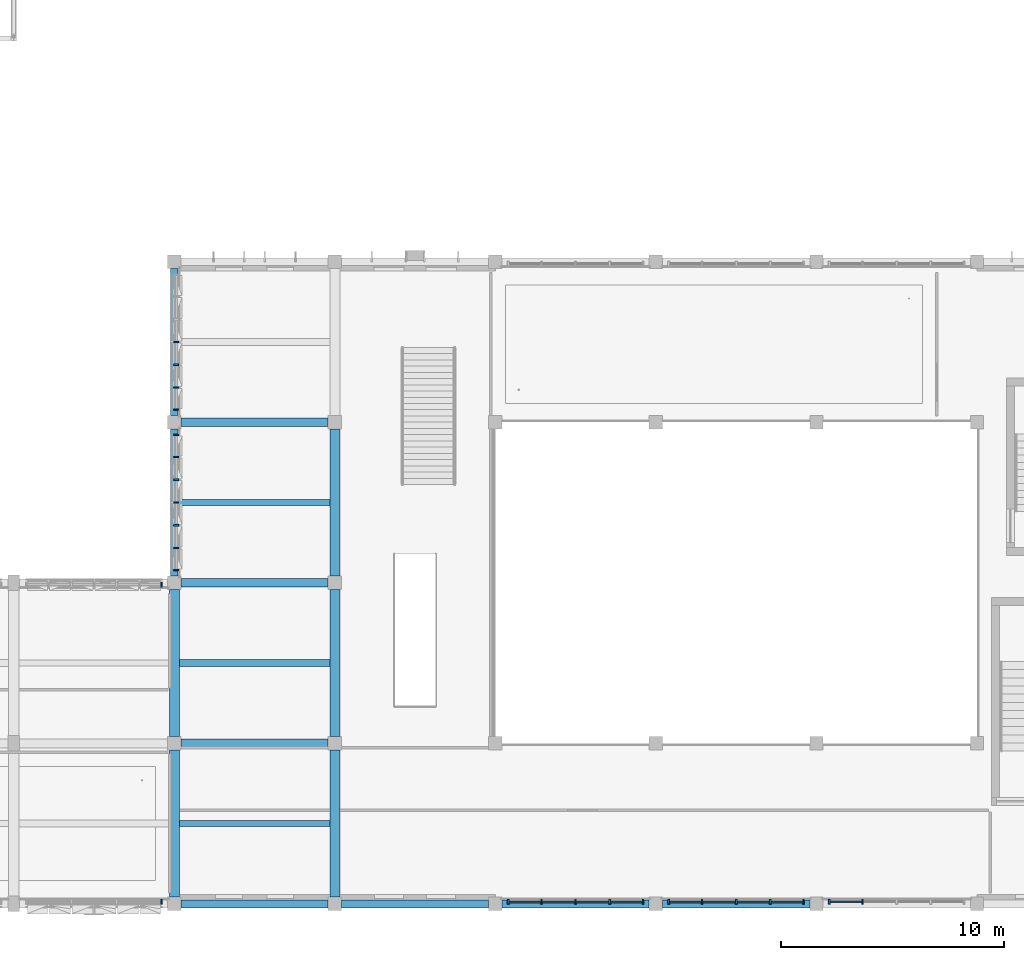
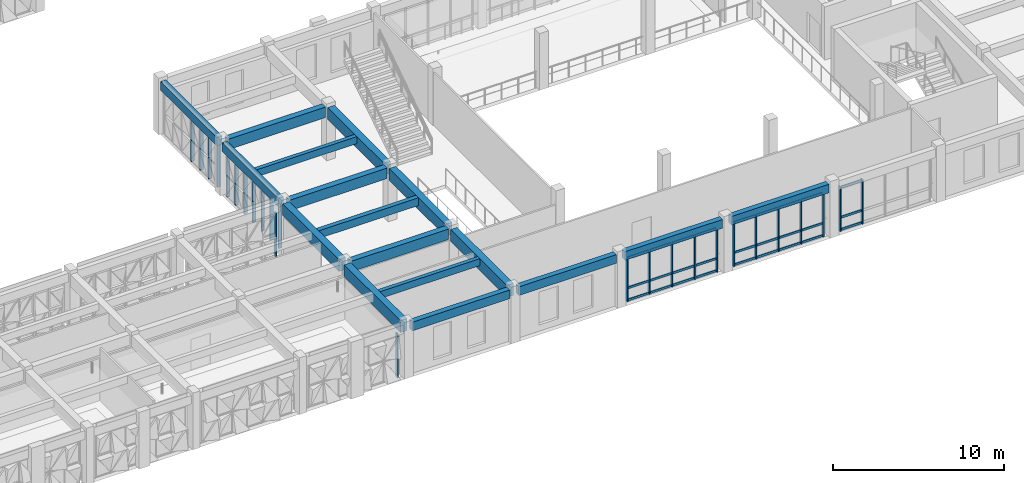
# One storey, part 11 of 88: 52 members, 17 beams, 7 elements without a shape of their own.
"""IFC4 building model written with IfcOpenShell, lengths in metres."""

from ifc_helpers import new_model, si_unit, direction, frame, origin, origin_2d, place, context, subcontext, project, spatial, rectangle, extrude, material, material_profile, profile_set, type_object, element, aggregate, save


model = new_model("IFC4")

# Units and contexts
model_context = context("Model", 3, precision=1e-05, world=origin(), true_north=direction((0.0, 1.0)))
body_context = subcontext(model_context, "Body", "Model", "MODEL_VIEW")
ifc_project = project(units=[si_unit("LENGTHUNIT", "METRE"), si_unit("AREAUNIT", "SQUARE_METRE"), si_unit("VOLUMEUNIT", "CUBIC_METRE"), si_unit("PLANEANGLEUNIT", "RADIAN"), si_unit("MASSUNIT", "GRAM", prefix="KILO")], contexts=[model_context])

# Site, building, storey
site_placement = place(None, origin())
site = spatial("IfcSite", under=ifc_project, at=site_placement, CompositionType="ELEMENT")
building_placement = place(site_placement, origin())
building = spatial("IfcBuilding", under=site, at=building_placement, Name="Alvorim Cloister Faculty of Sciences", CompositionType="ELEMENT")
storey_placement = place(building_placement, frame((0.0, 0.0, 4.5)))
storey = spatial("IfcBuildingStorey", under=building, at=storey_placement, Name="L01", CompositionType="ELEMENT", Elevation=4.5)

# Beams
ifc_material_1 = material(Name="Concrete C40", Category="concrete")
ifc_material_profile_1 = material_profile(ifc_material_1, rectangle(XDim=0.260009765625, YDim=0.5, at=origin_2d()), Name="RC40-JST-260x500")
ifc_profile_set_1 = profile_set([ifc_material_profile_1], Name="Concrete C40")
beam_type_1 = type_object("IfcBeamType", Name="BM-JST-RC-260x500", PredefinedType="JOIST", material=ifc_profile_set_1)
beam_1_placement = place(storey_placement, frame((65.02490234375, 3.60009765625, 3.5400390625), z_axis=(1.0, 0.0, 0.0), x_axis=(0.0, 1.0, 0.0)))
element("IfcBeam", 1, at=beam_1_placement, inside=storey, type_object=beam_type_1, Name="L01 Secondary Floor Joist BM-1206", PredefinedType="JOIST", context=body_context, shape_type="SweptSolid", body=[
    extrude(rectangle(XDim=0.260009765625, YDim=0.5, at=origin_2d()), origin(), (0.0, 0.0, 1.0), 6.75),
])
beam_2_placement = place(storey_placement, frame((64.97509765625, 18.0, 3.5400390625), z_axis=(1.0, 0.0, 0.0), x_axis=(0.0, 1.0, 0.0)))
element("IfcBeam", 2, at=beam_2_placement, inside=storey, type_object=beam_type_1, Name="L01 Secondary Floor Joist BM-1208", PredefinedType="JOIST", context=body_context, shape_type="SweptSolid", body=[
    extrude(rectangle(XDim=0.260009765625, YDim=0.5, at=origin_2d()), origin(), (0.0, 0.0, 1.0), 6.7998046875),
])
ifc_material_profile_2 = material_profile(ifc_material_1, rectangle(XDim=0.300048828125, YDim=0.550048828125, at=origin_2d()), Name="RC40-JST-300x550")
ifc_profile_set_2 = profile_set([ifc_material_profile_2], Name="Concrete C40")
beam_type_2 = type_object("IfcBeamType", Name="BM-JST-RC-300x550", PredefinedType="JOIST", material=ifc_profile_set_2)
beam_3_placement = place(storey_placement, frame((65.02490234375, 10.800048828125, 3.514892578125), z_axis=(1.0, 0.0, 0.0), x_axis=(0.0, 1.0, 0.0)))
element("IfcBeam", 3, at=beam_3_placement, inside=storey, type_object=beam_type_2, Name="L01 Secondary Floor Joist BM-1207", PredefinedType="JOIST", context=body_context, shape_type="SweptSolid", body=[
    extrude(rectangle(XDim=0.300048828125, YDim=0.550048828125, at=origin_2d()), origin(), (0.0, 0.0, 1.0), 6.75),
])
ifc_material_profile_3 = material_profile(ifc_material_1, rectangle(XDim=0.39990234375, YDim=0.75, at=origin_2d()), Name="RC40-BM-400x750")
ifc_profile_set_3 = profile_set([ifc_material_profile_3], Name="Concrete C40")
beam_type_3 = type_object("IfcBeamType", Name="BM-RC-400x750", PredefinedType="BEAM", material=ifc_profile_set_3)
for number, where, z_axis, x_axis, name in (
    (4, (65.10009765625, 7.199951171875, 3.4150390625), (1.0, 0.0, 0.0), (0.0, 1.0, 0.0), "L01 Primary Beam BM-0915"),
    (5, (65.10009765625, 14.39990234375, 3.4150390625), (1.0, 0.0, 0.0), (0.0, 1.0, 0.0), "L01 Primary Beam BM-0933"),
    (6, (65.10009765625, 21.60009765625, 3.4150390625), (1.0, 0.0, 0.0), (0.0, 1.0, 0.0), "L01 Primary Beam BM-0937"),
):
    element("IfcBeam", number, at=place(storey_placement, frame(where, z_axis=z_axis, x_axis=x_axis)), inside=storey, type_object=beam_type_3, Name=name, PredefinedType="BEAM", context=body_context, shape_type="SweptSolid", body=[
        extrude(rectangle(XDim=0.39990234375, YDim=0.75, at=origin_2d()), origin(), (0.0, 0.0, 1.0), 6.599853515625),
    ])
ifc_material_profile_4 = material_profile(ifc_material_1, rectangle(XDim=0.449951171875, YDim=0.85009765625, at=origin_2d()), Name="RC40-BM-450x850")
ifc_profile_set_4 = profile_set([ifc_material_profile_4], Name="Concrete C40")
beam_type_4 = type_object("IfcBeamType", Name="BM-RC-450x850", PredefinedType="BEAM", material=ifc_profile_set_4)
beam_4_placement = place(storey_placement, frame((64.800048828125, 0.300048828125, 3.364990234375), z_axis=(0.0, 1.0, 0.0), x_axis=(-1.0, 0.0, 0.0)))
element("IfcBeam", 7, at=beam_4_placement, inside=storey, type_object=beam_type_4, Name="L01 Primary Girder BM-1102", PredefinedType="BEAM", context=body_context, shape_type="SweptSolid", body=[
    extrude(rectangle(XDim=0.449951171875, YDim=0.85009765625, at=origin_2d()), origin(), (0.0, 0.0, 1.0), 6.599853515625),
])
beam_5_placement = place(storey_placement, frame((64.800048828125, 7.5, 3.364990234375), z_axis=(0.0, 1.0, 0.0), x_axis=(-1.0, 0.0, 0.0)))
element("IfcBeam", 8, at=beam_5_placement, inside=storey, type_object=beam_type_4, Name="L01 Primary Girder BM-1103", PredefinedType="BEAM", context=body_context, shape_type="SweptSolid", body=[
    extrude(rectangle(XDim=0.449951171875, YDim=0.85009765625, at=origin_2d()), origin(), (0.0, 0.0, 1.0), 6.60009765625),
])
beam_6_placement = place(storey_placement, frame((72.0, 0.300048828125, 3.364990234375), z_axis=(0.0, 1.0, 0.0), x_axis=(-1.0, 0.0, 0.0)))
element("IfcBeam", 9, at=beam_6_placement, inside=storey, type_object=beam_type_4, Name="L01 Primary Girder BM-1108", PredefinedType="BEAM", context=body_context, shape_type="SweptSolid", body=[
    extrude(rectangle(XDim=0.449951171875, YDim=0.85009765625, at=origin_2d()), origin(), (0.0, 0.0, 1.0), 6.599853515625),
])
for number, where, z_axis, x_axis, name in (
    (10, (72.0, 7.5, 3.364990234375), (0.0, 1.0, 0.0), (-1.0, 0.0, 0.0), "L01 Primary Girder BM-1109"),
    (11, (72.0, 14.699951171875, 3.364990234375), (0.0, 1.0, 0.0), (-1.0, 0.0, 0.0), "L01 Primary Girder BM-1110"),
):
    element("IfcBeam", number, at=place(storey_placement, frame(where, z_axis=z_axis, x_axis=x_axis)), inside=storey, type_object=beam_type_4, Name=name, PredefinedType="BEAM", context=body_context, shape_type="SweptSolid", body=[
        extrude(rectangle(XDim=0.449951171875, YDim=0.85009765625, at=origin_2d()), origin(), (0.0, 0.0, 1.0), 6.60009765625),
    ])
ifc_material_profile_5 = material_profile(ifc_material_1, rectangle(XDim=0.35009765625, YDim=0.6201171875, at=origin_2d()), Name="RC40-SPD-350x620")
ifc_profile_set_5 = profile_set([ifc_material_profile_5], Name="Concrete C40")
beam_type_5 = type_object("IfcBeamType", Name="BM-SPD-RC-350x620", PredefinedType="SPANDREL", material=ifc_profile_set_5)
for number, where, z_axis, x_axis, name in (
    (12, (65.10009765625, 0.0, 3.47998046875), (1.0, 0.0, 0.0), (0.0, 1.0, 0.0), "L01 Primary Beam BM-0892"),
    (13, (72.300048828125, 0.0, 3.47998046875), (1.0, 0.0, 0.0), (0.0, 1.0, 0.0), "L01 Primary Beam BM-0893"),
):
    element("IfcBeam", number, at=place(storey_placement, frame(where, z_axis=z_axis, x_axis=x_axis)), inside=storey, type_object=beam_type_5, Name=name, PredefinedType="SPANDREL", context=body_context, shape_type="SweptSolid", body=[
        extrude(rectangle(XDim=0.35009765625, YDim=0.6201171875, at=origin_2d()), origin(), (0.0, 0.0, 1.0), 6.599853515625),
    ])
for number, where, z_axis, x_axis, name in (
    (14, (79.5, 0.0, 3.47998046875), (1.0, 0.0, 0.0), (0.0, 1.0, 0.0), "L01 Primary Beam BM-0894"),
    (15, (86.699951171875, 0.0, 3.47998046875), (1.0, 0.0, 0.0), (0.0, 1.0, 0.0), "L01 Primary Beam BM-0895"),
    (16, (64.800048828125, 14.699951171875, 3.47998046875), (0.0, 1.0, 0.0), (-1.0, 0.0, 0.0), "L01 Primary Girder BM-1104"),
    (17, (64.800048828125, 21.89990234375, 3.47998046875), (0.0, 1.0, 0.0), (-1.0, 0.0, 0.0), "L01 Primary Girder BM-1105"),
):
    element("IfcBeam", number, at=place(storey_placement, frame(where, z_axis=z_axis, x_axis=x_axis)), inside=storey, type_object=beam_type_5, Name=name, PredefinedType="SPANDREL", context=body_context, shape_type="SweptSolid", body=[
        extrude(rectangle(XDim=0.35009765625, YDim=0.6201171875, at=origin_2d()), origin(), (0.0, 0.0, 1.0), 6.60009765625),
    ])

# Curtain wall, member
ifc_material_2 = material(Name="Aluminium and Low-E Glass Curtain Wall", Category="aluminium")
curtain_wall_type_1 = type_object("IfcCurtainWallType", Name="CW-TRI-6120x3170", PredefinedType="USERDEFINED", material=ifc_material_2)
curtain_wall_1_placement = place(storey_placement, origin())
curtain_wall_1 = element("IfcCurtainWall", 18, at=curtain_wall_1_placement, inside=storey, type_object=curtain_wall_type_1, Name="L01 Diagonal Cassette Curtain Wall CW-0031", ObjectType="UNITISED CURTAIN WALL", PredefinedType="USERDEFINED")
ifc_material_3 = material(Name="Aluminium Alloy 6063-T6", Category="aluminium")
ifc_material_profile_6 = material_profile(ifc_material_3, rectangle(XDim=0.074951171875, YDim=0.219970703125, at=origin_2d()), Name="ALU-MUL-75x220")
ifc_profile_set_6 = profile_set([ifc_material_profile_6], Name="Aluminium Alloy 6063-T6")
member_type_1 = type_object("IfcMemberType", Name="CW-MUL-75x220", PredefinedType="MULLION", material=ifc_profile_set_6)
member_1_placement = place(storey_placement, frame((64.222412109375, 14.31005859375, 0.0), z_axis=(0.0, 0.0, 1.0), x_axis=(1.0, 0.0, 0.0)))
member_1 = element("IfcMember", 19, at=member_1_placement, type_object=member_type_1, Name="CW-0031 Mullion 7", PredefinedType="MULLION", context=body_context, shape_type="SweptSolid", body=[
    extrude(rectangle(XDim=0.074951171875, YDim=0.219970703125, at=origin_2d()), origin(), (0.0, 0.0, 1.0), 3.169921875),
])
aggregate(curtain_wall_1, [member_1])

# Curtain wall, members
curtain_wall_2_placement = place(storey_placement, origin())
curtain_wall_2 = element("IfcCurtainWall", 20, at=curtain_wall_2_placement, inside=storey, type_object=curtain_wall_type_1, Name="L01 Diagonal Cassette Curtain Wall CW-0032", ObjectType="UNITISED CURTAIN WALL", PredefinedType="USERDEFINED")
member_2_placement = place(storey_placement, frame((64.889892578125, 14.9775390625, 0.0), z_axis=(0.0, 0.0, 1.0), x_axis=(0.0, 1.0, 0.0)))
member_2 = element("IfcMember", 21, at=member_2_placement, type_object=member_type_1, Name="CW-0032 Mullion 1", PredefinedType="MULLION", context=body_context, shape_type="SweptSolid", body=[
    extrude(rectangle(XDim=0.074951171875, YDim=0.219970703125, at=origin_2d()), origin(), (0.0, 0.0, 1.0), 3.169921875),
])
member_3_placement = place(storey_placement, frame((64.889892578125, 15.9599609375, 0.0), z_axis=(0.0, 0.0, 1.0), x_axis=(0.0, 1.0, 0.0)))
member_3 = element("IfcMember", 22, at=member_3_placement, type_object=member_type_1, Name="CW-0032 Mullion 2", PredefinedType="MULLION", context=body_context, shape_type="SweptSolid", body=[
    extrude(rectangle(XDim=0.074951171875, YDim=0.219970703125, at=origin_2d()), origin(), (0.0, 0.0, 1.0), 3.169921875),
])
member_4_placement = place(storey_placement, frame((64.889892578125, 16.97998046875, 0.0), z_axis=(0.0, 0.0, 1.0), x_axis=(0.0, 1.0, 0.0)))
member_4 = element("IfcMember", 23, at=member_4_placement, type_object=member_type_1, Name="CW-0032 Mullion 3", PredefinedType="MULLION", context=body_context, shape_type="SweptSolid", body=[
    extrude(rectangle(XDim=0.074951171875, YDim=0.219970703125, at=origin_2d()), origin(), (0.0, 0.0, 1.0), 3.169921875),
])
member_5_placement = place(storey_placement, frame((64.889892578125, 18.0, 0.0), z_axis=(0.0, 0.0, 1.0), x_axis=(0.0, 1.0, 0.0)))
member_5 = element("IfcMember", 24, at=member_5_placement, type_object=member_type_1, Name="CW-0032 Mullion 4", PredefinedType="MULLION", context=body_context, shape_type="SweptSolid", body=[
    extrude(rectangle(XDim=0.074951171875, YDim=0.219970703125, at=origin_2d()), origin(), (0.0, 0.0, 1.0), 3.169921875),
])
member_6_placement = place(storey_placement, frame((64.889892578125, 19.02001953125, 0.0), z_axis=(0.0, 0.0, 1.0), x_axis=(0.0, 1.0, 0.0)))
member_6 = element("IfcMember", 25, at=member_6_placement, type_object=member_type_1, Name="CW-0032 Mullion 5", PredefinedType="MULLION", context=body_context, shape_type="SweptSolid", body=[
    extrude(rectangle(XDim=0.074951171875, YDim=0.219970703125, at=origin_2d()), origin(), (0.0, 0.0, 1.0), 3.169921875),
])
member_7_placement = place(storey_placement, frame((64.889892578125, 20.0400390625, 0.0), z_axis=(0.0, 0.0, 1.0), x_axis=(0.0, 1.0, 0.0)))
member_7 = element("IfcMember", 26, at=member_7_placement, type_object=member_type_1, Name="CW-0032 Mullion 6", PredefinedType="MULLION", context=body_context, shape_type="SweptSolid", body=[
    extrude(rectangle(XDim=0.074951171875, YDim=0.219970703125, at=origin_2d()), origin(), (0.0, 0.0, 1.0), 3.169921875),
])
member_8_placement = place(storey_placement, frame((64.889892578125, 21.0224609375, 0.0), z_axis=(0.0, 0.0, 1.0), x_axis=(0.0, 1.0, 0.0)))
member_8 = element("IfcMember", 27, at=member_8_placement, type_object=member_type_1, Name="CW-0032 Mullion 7", PredefinedType="MULLION", context=body_context, shape_type="SweptSolid", body=[
    extrude(rectangle(XDim=0.074951171875, YDim=0.219970703125, at=origin_2d()), origin(), (0.0, 0.0, 1.0), 3.169921875),
])
aggregate(curtain_wall_2, [member_2, member_3, member_4, member_5, member_6, member_7, member_8])

curtain_wall_3_placement = place(storey_placement, origin())
curtain_wall_3 = element("IfcCurtainWall", 28, at=curtain_wall_3_placement, inside=storey, type_object=curtain_wall_type_1, Name="L01 Diagonal Cassette Curtain Wall CW-0033", ObjectType="UNITISED CURTAIN WALL", PredefinedType="USERDEFINED")
member_9_placement = place(storey_placement, frame((64.889892578125, 22.177490234375, 0.0), z_axis=(0.0, 0.0, 1.0), x_axis=(0.0, 1.0, 0.0)))
member_9 = element("IfcMember", 29, at=member_9_placement, type_object=member_type_1, Name="CW-0033 Mullion 1", PredefinedType="MULLION", context=body_context, shape_type="SweptSolid", body=[
    extrude(rectangle(XDim=0.074951171875, YDim=0.219970703125, at=origin_2d()), origin(), (0.0, 0.0, 1.0), 3.169921875),
])
member_10_placement = place(storey_placement, frame((64.889892578125, 23.159912109375, 0.0), z_axis=(0.0, 0.0, 1.0), x_axis=(0.0, 1.0, 0.0)))
member_10 = element("IfcMember", 30, at=member_10_placement, type_object=member_type_1, Name="CW-0033 Mullion 2", PredefinedType="MULLION", context=body_context, shape_type="SweptSolid", body=[
    extrude(rectangle(XDim=0.074951171875, YDim=0.219970703125, at=origin_2d()), origin(), (0.0, 0.0, 1.0), 3.169921875),
])
member_11_placement = place(storey_placement, frame((64.889892578125, 24.179931640625, 0.0), z_axis=(0.0, 0.0, 1.0), x_axis=(0.0, 1.0, 0.0)))
member_11 = element("IfcMember", 31, at=member_11_placement, type_object=member_type_1, Name="CW-0033 Mullion 3", PredefinedType="MULLION", context=body_context, shape_type="SweptSolid", body=[
    extrude(rectangle(XDim=0.074951171875, YDim=0.219970703125, at=origin_2d()), origin(), (0.0, 0.0, 1.0), 3.169921875),
])
member_12_placement = place(storey_placement, frame((64.889892578125, 25.199951171875, 0.0), z_axis=(0.0, 0.0, 1.0), x_axis=(0.0, 1.0, 0.0)))
member_12 = element("IfcMember", 32, at=member_12_placement, type_object=member_type_1, Name="CW-0033 Mullion 4", PredefinedType="MULLION", context=body_context, shape_type="SweptSolid", body=[
    extrude(rectangle(XDim=0.074951171875, YDim=0.219970703125, at=origin_2d()), origin(), (0.0, 0.0, 1.0), 3.169921875),
])
aggregate(curtain_wall_3, [member_9, member_10, member_11, member_12])

curtain_wall_type_2 = type_object("IfcCurtainWallType", Name="CW-GLZ-6120x3170", PredefinedType="USERDEFINED", material=ifc_material_2)
curtain_wall_4_placement = place(storey_placement, origin())
curtain_wall_4 = element("IfcCurtainWall", 33, at=curtain_wall_4_placement, inside=storey, type_object=curtain_wall_type_2, Name="L01 Entrance and Atrium Glazed Curtain Wall CW-0037", ObjectType="UNITISED CURTAIN WALL", PredefinedType="USERDEFINED")
member_13_placement = place(storey_placement, frame((94.177490234375, 0.090087890625, 0.0), z_axis=(0.0, 0.0, 1.0), x_axis=(1.0, 0.0, 0.0)))
member_13 = element("IfcMember", 34, at=member_13_placement, type_object=member_type_1, Name="CW-04 mullion 1", PredefinedType="MULLION", context=body_context, shape_type="SweptSolid", body=[
    extrude(rectangle(XDim=0.074951171875, YDim=0.219970703125, at=origin_2d()), origin(), (0.0, 0.0, 1.0), 3.169921875),
])
member_14_placement = place(storey_placement, frame((95.669921875, 0.090087890625, 0.0), z_axis=(0.0, 0.0, 1.0), x_axis=(1.0, 0.0, 0.0)))
member_14 = element("IfcMember", 35, at=member_14_placement, type_object=member_type_1, Name="CW-04 mullion 2", PredefinedType="MULLION", context=body_context, shape_type="SweptSolid", body=[
    extrude(rectangle(XDim=0.074951171875, YDim=0.219970703125, at=origin_2d()), origin(), (0.0, 0.0, 1.0), 3.169921875),
])

curtain_wall_5_placement = place(storey_placement, origin())
curtain_wall_5 = element("IfcCurtainWall", 36, at=curtain_wall_5_placement, inside=storey, type_object=curtain_wall_type_2, Name="L01 Entrance and Atrium Glazed Curtain Wall CW-0038", ObjectType="UNITISED CURTAIN WALL", PredefinedType="USERDEFINED")
member_15_placement = place(storey_placement, frame((86.9775390625, 0.090087890625, 0.0), z_axis=(0.0, 0.0, 1.0), x_axis=(1.0, 0.0, 0.0)))
member_15 = element("IfcMember", 37, at=member_15_placement, type_object=member_type_1, Name="CW-04 mullion 1", PredefinedType="MULLION", context=body_context, shape_type="SweptSolid", body=[
    extrude(rectangle(XDim=0.074951171875, YDim=0.219970703125, at=origin_2d()), origin(), (0.0, 0.0, 1.0), 3.169921875),
])
member_16_placement = place(storey_placement, frame((88.469970703125, 0.090087890625, 0.0), z_axis=(0.0, 0.0, 1.0), x_axis=(1.0, 0.0, 0.0)))
member_16 = element("IfcMember", 38, at=member_16_placement, type_object=member_type_1, Name="CW-04 mullion 2", PredefinedType="MULLION", context=body_context, shape_type="SweptSolid", body=[
    extrude(rectangle(XDim=0.074951171875, YDim=0.219970703125, at=origin_2d()), origin(), (0.0, 0.0, 1.0), 3.169921875),
])
member_17_placement = place(storey_placement, frame((90.0, 0.090087890625, 0.0), z_axis=(0.0, 0.0, 1.0), x_axis=(1.0, 0.0, 0.0)))
member_17 = element("IfcMember", 39, at=member_17_placement, type_object=member_type_1, Name="CW-04 mullion 3", PredefinedType="MULLION", context=body_context, shape_type="SweptSolid", body=[
    extrude(rectangle(XDim=0.074951171875, YDim=0.219970703125, at=origin_2d()), origin(), (0.0, 0.0, 1.0), 3.169921875),
])
member_18_placement = place(storey_placement, frame((91.530029296875, 0.090087890625, 0.0), z_axis=(0.0, 0.0, 1.0), x_axis=(1.0, 0.0, 0.0)))
member_18 = element("IfcMember", 40, at=member_18_placement, type_object=member_type_1, Name="CW-04 mullion 4", PredefinedType="MULLION", context=body_context, shape_type="SweptSolid", body=[
    extrude(rectangle(XDim=0.074951171875, YDim=0.219970703125, at=origin_2d()), origin(), (0.0, 0.0, 1.0), 3.169921875),
])
member_19_placement = place(storey_placement, frame((93.0224609375, 0.090087890625, 0.0), z_axis=(0.0, 0.0, 1.0), x_axis=(1.0, 0.0, 0.0)))
member_19 = element("IfcMember", 41, at=member_19_placement, type_object=member_type_1, Name="CW-04 mullion 5", PredefinedType="MULLION", context=body_context, shape_type="SweptSolid", body=[
    extrude(rectangle(XDim=0.074951171875, YDim=0.219970703125, at=origin_2d()), origin(), (0.0, 0.0, 1.0), 3.169921875),
])

curtain_wall_6_placement = place(storey_placement, origin())
curtain_wall_6 = element("IfcCurtainWall", 42, at=curtain_wall_6_placement, inside=storey, type_object=curtain_wall_type_2, Name="L01 Entrance and Atrium Glazed Curtain Wall CW-0039", ObjectType="UNITISED CURTAIN WALL", PredefinedType="USERDEFINED")
member_20_placement = place(storey_placement, frame((79.777587890625, 0.090087890625, 0.0), z_axis=(0.0, 0.0, 1.0), x_axis=(1.0, 0.0, 0.0)))
member_20 = element("IfcMember", 43, at=member_20_placement, type_object=member_type_1, Name="CW-04 mullion 1", PredefinedType="MULLION", context=body_context, shape_type="SweptSolid", body=[
    extrude(rectangle(XDim=0.074951171875, YDim=0.219970703125, at=origin_2d()), origin(), (0.0, 0.0, 1.0), 3.169921875),
])
member_21_placement = place(storey_placement, frame((81.27001953125, 0.090087890625, 0.0), z_axis=(0.0, 0.0, 1.0), x_axis=(1.0, 0.0, 0.0)))
member_21 = element("IfcMember", 44, at=member_21_placement, type_object=member_type_1, Name="CW-04 mullion 2", PredefinedType="MULLION", context=body_context, shape_type="SweptSolid", body=[
    extrude(rectangle(XDim=0.074951171875, YDim=0.219970703125, at=origin_2d()), origin(), (0.0, 0.0, 1.0), 3.169921875),
])
member_22_placement = place(storey_placement, frame((82.800048828125, 0.090087890625, 0.0), z_axis=(0.0, 0.0, 1.0), x_axis=(1.0, 0.0, 0.0)))
member_22 = element("IfcMember", 45, at=member_22_placement, type_object=member_type_1, Name="CW-04 mullion 3", PredefinedType="MULLION", context=body_context, shape_type="SweptSolid", body=[
    extrude(rectangle(XDim=0.074951171875, YDim=0.219970703125, at=origin_2d()), origin(), (0.0, 0.0, 1.0), 3.169921875),
])
member_23_placement = place(storey_placement, frame((84.330078125, 0.090087890625, 0.0), z_axis=(0.0, 0.0, 1.0), x_axis=(1.0, 0.0, 0.0)))
member_23 = element("IfcMember", 46, at=member_23_placement, type_object=member_type_1, Name="CW-04 mullion 4", PredefinedType="MULLION", context=body_context, shape_type="SweptSolid", body=[
    extrude(rectangle(XDim=0.074951171875, YDim=0.219970703125, at=origin_2d()), origin(), (0.0, 0.0, 1.0), 3.169921875),
])
member_24_placement = place(storey_placement, frame((85.822509765625, 0.090087890625, 0.0), z_axis=(0.0, 0.0, 1.0), x_axis=(1.0, 0.0, 0.0)))
member_24 = element("IfcMember", 47, at=member_24_placement, type_object=member_type_1, Name="CW-04 mullion 5", PredefinedType="MULLION", context=body_context, shape_type="SweptSolid", body=[
    extrude(rectangle(XDim=0.074951171875, YDim=0.219970703125, at=origin_2d()), origin(), (0.0, 0.0, 1.0), 3.169921875),
])

# Curtain wall, member
curtain_wall_7_placement = place(storey_placement, origin())
curtain_wall_7 = element("IfcCurtainWall", 48, at=curtain_wall_7_placement, inside=storey, type_object=curtain_wall_type_1, Name="L01 Diagonal Cassette Curtain Wall CW-0040", ObjectType="UNITISED CURTAIN WALL", PredefinedType="USERDEFINED")
member_25_placement = place(storey_placement, frame((64.222412109375, 0.090087890625, 0.0), z_axis=(0.0, 0.0, 1.0), x_axis=(1.0, 0.0, 0.0)))
member_25 = element("IfcMember", 49, at=member_25_placement, type_object=member_type_1, Name="CW-0040 Mullion 7", PredefinedType="MULLION", context=body_context, shape_type="SweptSolid", body=[
    extrude(rectangle(XDim=0.074951171875, YDim=0.219970703125, at=origin_2d()), origin(), (0.0, 0.0, 1.0), 3.169921875),
])
aggregate(curtain_wall_7, [member_25])

# Member
ifc_material_profile_7 = material_profile(ifc_material_3, rectangle(XDim=0.074951171875, YDim=0.159912109375, at=origin_2d()), Name="ALU-TRN-75x160")
ifc_profile_set_7 = profile_set([ifc_material_profile_7], Name="Aluminium Alloy 6063-T6")
member_type_2 = type_object("IfcMemberType", Name="CW-TRN-75x160", PredefinedType="USERDEFINED", material=ifc_profile_set_7)
member_26_placement = place(storey_placement, frame((94.215087890625, 0.090087890625, 0.080078125), z_axis=(1.0, 0.0, 0.0), x_axis=(0.0, 1.0, 0.0)))
member_26 = element("IfcMember", 50, at=member_26_placement, type_object=member_type_2, Name="CW-04 transom 1.1", ObjectType="TRANSOM", PredefinedType="USERDEFINED", context=body_context, shape_type="SweptSolid", body=[
    extrude(rectangle(XDim=0.074951171875, YDim=0.159912109375, at=origin_2d()), origin(), (0.0, 0.0, 1.0), 1.41748046875),
])

member_27_placement = place(storey_placement, frame((94.215087890625, 0.090087890625, 0.949951171875), z_axis=(1.0, 0.0, 0.0), x_axis=(0.0, 1.0, 0.0)))
member_27 = element("IfcMember", 51, at=member_27_placement, type_object=member_type_2, Name="CW-04 transom 1.2", ObjectType="TRANSOM", PredefinedType="USERDEFINED", context=body_context, shape_type="SweptSolid", body=[
    extrude(rectangle(XDim=0.074951171875, YDim=0.159912109375, at=origin_2d()), origin(), (0.0, 0.0, 1.0), 1.41748046875),
])

member_28_placement = place(storey_placement, frame((94.215087890625, 0.090087890625, 3.090087890625), z_axis=(1.0, 0.0, 0.0), x_axis=(0.0, 1.0, 0.0)))
member_28 = element("IfcMember", 52, at=member_28_placement, type_object=member_type_2, Name="CW-04 transom 1.3", ObjectType="TRANSOM", PredefinedType="USERDEFINED", context=body_context, shape_type="SweptSolid", body=[
    extrude(rectangle(XDim=0.074951171875, YDim=0.159912109375, at=origin_2d()), origin(), (0.0, 0.0, 1.0), 1.41748046875),
])

aggregate(curtain_wall_4, [member_13, member_14, member_26, member_27, member_28])

member_29_placement = place(storey_placement, frame((87.014892578125, 0.090087890625, 0.080078125), z_axis=(1.0, 0.0, 0.0), x_axis=(0.0, 1.0, 0.0)))
member_29 = element("IfcMember", 53, at=member_29_placement, type_object=member_type_2, Name="CW-04 transom 1.1", ObjectType="TRANSOM", PredefinedType="USERDEFINED", context=body_context, shape_type="SweptSolid", body=[
    extrude(rectangle(XDim=0.074951171875, YDim=0.159912109375, at=origin_2d()), origin(), (0.0, 0.0, 1.0), 1.417724609375),
])

member_30_placement = place(storey_placement, frame((87.014892578125, 0.090087890625, 0.949951171875), z_axis=(1.0, 0.0, 0.0), x_axis=(0.0, 1.0, 0.0)))
member_30 = element("IfcMember", 54, at=member_30_placement, type_object=member_type_2, Name="CW-04 transom 1.2", ObjectType="TRANSOM", PredefinedType="USERDEFINED", context=body_context, shape_type="SweptSolid", body=[
    extrude(rectangle(XDim=0.074951171875, YDim=0.159912109375, at=origin_2d()), origin(), (0.0, 0.0, 1.0), 1.417724609375),
])

member_31_placement = place(storey_placement, frame((87.014892578125, 0.090087890625, 3.090087890625), z_axis=(1.0, 0.0, 0.0), x_axis=(0.0, 1.0, 0.0)))
member_31 = element("IfcMember", 55, at=member_31_placement, type_object=member_type_2, Name="CW-04 transom 1.3", ObjectType="TRANSOM", PredefinedType="USERDEFINED", context=body_context, shape_type="SweptSolid", body=[
    extrude(rectangle(XDim=0.074951171875, YDim=0.159912109375, at=origin_2d()), origin(), (0.0, 0.0, 1.0), 1.417724609375),
])

member_32_placement = place(storey_placement, frame((88.507568359375, 0.090087890625, 0.080078125), z_axis=(1.0, 0.0, 0.0), x_axis=(0.0, 1.0, 0.0)))
member_32 = element("IfcMember", 56, at=member_32_placement, type_object=member_type_2, Name="CW-04 transom 2.1", ObjectType="TRANSOM", PredefinedType="USERDEFINED", context=body_context, shape_type="SweptSolid", body=[
    extrude(rectangle(XDim=0.074951171875, YDim=0.159912109375, at=origin_2d()), origin(), (0.0, 0.0, 1.0), 1.454833984375),
])

member_33_placement = place(storey_placement, frame((88.507568359375, 0.090087890625, 0.949951171875), z_axis=(1.0, 0.0, 0.0), x_axis=(0.0, 1.0, 0.0)))
member_33 = element("IfcMember", 57, at=member_33_placement, type_object=member_type_2, Name="CW-04 transom 2.2", ObjectType="TRANSOM", PredefinedType="USERDEFINED", context=body_context, shape_type="SweptSolid", body=[
    extrude(rectangle(XDim=0.074951171875, YDim=0.159912109375, at=origin_2d()), origin(), (0.0, 0.0, 1.0), 1.454833984375),
])

member_34_placement = place(storey_placement, frame((88.507568359375, 0.090087890625, 3.090087890625), z_axis=(1.0, 0.0, 0.0), x_axis=(0.0, 1.0, 0.0)))
member_34 = element("IfcMember", 58, at=member_34_placement, type_object=member_type_2, Name="CW-04 transom 2.3", ObjectType="TRANSOM", PredefinedType="USERDEFINED", context=body_context, shape_type="SweptSolid", body=[
    extrude(rectangle(XDim=0.074951171875, YDim=0.159912109375, at=origin_2d()), origin(), (0.0, 0.0, 1.0), 1.454833984375),
])

member_35_placement = place(storey_placement, frame((90.03759765625, 0.090087890625, 0.080078125), z_axis=(1.0, 0.0, 0.0), x_axis=(0.0, 1.0, 0.0)))
member_35 = element("IfcMember", 59, at=member_35_placement, type_object=member_type_2, Name="CW-04 transom 3.1", ObjectType="TRANSOM", PredefinedType="USERDEFINED", context=body_context, shape_type="SweptSolid", body=[
    extrude(rectangle(XDim=0.074951171875, YDim=0.159912109375, at=origin_2d()), origin(), (0.0, 0.0, 1.0), 1.454833984375),
])

member_36_placement = place(storey_placement, frame((90.03759765625, 0.090087890625, 0.949951171875), z_axis=(1.0, 0.0, 0.0), x_axis=(0.0, 1.0, 0.0)))
member_36 = element("IfcMember", 60, at=member_36_placement, type_object=member_type_2, Name="CW-04 transom 3.2", ObjectType="TRANSOM", PredefinedType="USERDEFINED", context=body_context, shape_type="SweptSolid", body=[
    extrude(rectangle(XDim=0.074951171875, YDim=0.159912109375, at=origin_2d()), origin(), (0.0, 0.0, 1.0), 1.454833984375),
])

member_37_placement = place(storey_placement, frame((90.03759765625, 0.090087890625, 3.090087890625), z_axis=(1.0, 0.0, 0.0), x_axis=(0.0, 1.0, 0.0)))
member_37 = element("IfcMember", 61, at=member_37_placement, type_object=member_type_2, Name="CW-04 transom 3.3", ObjectType="TRANSOM", PredefinedType="USERDEFINED", context=body_context, shape_type="SweptSolid", body=[
    extrude(rectangle(XDim=0.074951171875, YDim=0.159912109375, at=origin_2d()), origin(), (0.0, 0.0, 1.0), 1.454833984375),
])

member_38_placement = place(storey_placement, frame((91.5673828125, 0.090087890625, 0.080078125), z_axis=(1.0, 0.0, 0.0), x_axis=(0.0, 1.0, 0.0)))
member_38 = element("IfcMember", 62, at=member_38_placement, type_object=member_type_2, Name="CW-04 transom 4.1", ObjectType="TRANSOM", PredefinedType="USERDEFINED", context=body_context, shape_type="SweptSolid", body=[
    extrude(rectangle(XDim=0.074951171875, YDim=0.159912109375, at=origin_2d()), origin(), (0.0, 0.0, 1.0), 1.417724609375),
])

member_39_placement = place(storey_placement, frame((91.5673828125, 0.090087890625, 0.949951171875), z_axis=(1.0, 0.0, 0.0), x_axis=(0.0, 1.0, 0.0)))
member_39 = element("IfcMember", 63, at=member_39_placement, type_object=member_type_2, Name="CW-04 transom 4.2", ObjectType="TRANSOM", PredefinedType="USERDEFINED", context=body_context, shape_type="SweptSolid", body=[
    extrude(rectangle(XDim=0.074951171875, YDim=0.159912109375, at=origin_2d()), origin(), (0.0, 0.0, 1.0), 1.417724609375),
])

member_40_placement = place(storey_placement, frame((91.5673828125, 0.090087890625, 3.090087890625), z_axis=(1.0, 0.0, 0.0), x_axis=(0.0, 1.0, 0.0)))
member_40 = element("IfcMember", 64, at=member_40_placement, type_object=member_type_2, Name="CW-04 transom 4.3", ObjectType="TRANSOM", PredefinedType="USERDEFINED", context=body_context, shape_type="SweptSolid", body=[
    extrude(rectangle(XDim=0.074951171875, YDim=0.159912109375, at=origin_2d()), origin(), (0.0, 0.0, 1.0), 1.417724609375),
])

aggregate(curtain_wall_5, [member_15, member_16, member_17, member_18, member_19, member_29, member_30, member_31, member_32, member_33, member_34, member_35, member_36, member_37, member_38, member_39, member_40])

member_41_placement = place(storey_placement, frame((79.81494140625, 0.090087890625, 0.080078125), z_axis=(1.0, 0.0, 0.0), x_axis=(0.0, 1.0, 0.0)))
member_41 = element("IfcMember", 65, at=member_41_placement, type_object=member_type_2, Name="CW-04 transom 1.1", ObjectType="TRANSOM", PredefinedType="USERDEFINED", context=body_context, shape_type="SweptSolid", body=[
    extrude(rectangle(XDim=0.074951171875, YDim=0.159912109375, at=origin_2d()), origin(), (0.0, 0.0, 1.0), 1.41748046875),
])

member_42_placement = place(storey_placement, frame((79.81494140625, 0.090087890625, 0.949951171875), z_axis=(1.0, 0.0, 0.0), x_axis=(0.0, 1.0, 0.0)))
member_42 = element("IfcMember", 66, at=member_42_placement, type_object=member_type_2, Name="CW-04 transom 1.2", ObjectType="TRANSOM", PredefinedType="USERDEFINED", context=body_context, shape_type="SweptSolid", body=[
    extrude(rectangle(XDim=0.074951171875, YDim=0.159912109375, at=origin_2d()), origin(), (0.0, 0.0, 1.0), 1.41748046875),
])

member_43_placement = place(storey_placement, frame((79.81494140625, 0.090087890625, 3.090087890625), z_axis=(1.0, 0.0, 0.0), x_axis=(0.0, 1.0, 0.0)))
member_43 = element("IfcMember", 67, at=member_43_placement, type_object=member_type_2, Name="CW-04 transom 1.3", ObjectType="TRANSOM", PredefinedType="USERDEFINED", context=body_context, shape_type="SweptSolid", body=[
    extrude(rectangle(XDim=0.074951171875, YDim=0.159912109375, at=origin_2d()), origin(), (0.0, 0.0, 1.0), 1.41748046875),
])

member_44_placement = place(storey_placement, frame((81.3076171875, 0.090087890625, 0.080078125), z_axis=(1.0, 0.0, 0.0), x_axis=(0.0, 1.0, 0.0)))
member_44 = element("IfcMember", 68, at=member_44_placement, type_object=member_type_2, Name="CW-04 transom 2.1", ObjectType="TRANSOM", PredefinedType="USERDEFINED", context=body_context, shape_type="SweptSolid", body=[
    extrude(rectangle(XDim=0.074951171875, YDim=0.159912109375, at=origin_2d()), origin(), (0.0, 0.0, 1.0), 1.454833984375),
])

member_45_placement = place(storey_placement, frame((81.3076171875, 0.090087890625, 0.949951171875), z_axis=(1.0, 0.0, 0.0), x_axis=(0.0, 1.0, 0.0)))
member_45 = element("IfcMember", 69, at=member_45_placement, type_object=member_type_2, Name="CW-04 transom 2.2", ObjectType="TRANSOM", PredefinedType="USERDEFINED", context=body_context, shape_type="SweptSolid", body=[
    extrude(rectangle(XDim=0.074951171875, YDim=0.159912109375, at=origin_2d()), origin(), (0.0, 0.0, 1.0), 1.454833984375),
])

member_46_placement = place(storey_placement, frame((81.3076171875, 0.090087890625, 3.090087890625), z_axis=(1.0, 0.0, 0.0), x_axis=(0.0, 1.0, 0.0)))
member_46 = element("IfcMember", 70, at=member_46_placement, type_object=member_type_2, Name="CW-04 transom 2.3", ObjectType="TRANSOM", PredefinedType="USERDEFINED", context=body_context, shape_type="SweptSolid", body=[
    extrude(rectangle(XDim=0.074951171875, YDim=0.159912109375, at=origin_2d()), origin(), (0.0, 0.0, 1.0), 1.454833984375),
])

member_47_placement = place(storey_placement, frame((82.83740234375, 0.090087890625, 0.080078125), z_axis=(1.0, 0.0, 0.0), x_axis=(0.0, 1.0, 0.0)))
member_47 = element("IfcMember", 71, at=member_47_placement, type_object=member_type_2, Name="CW-04 transom 3.1", ObjectType="TRANSOM", PredefinedType="USERDEFINED", context=body_context, shape_type="SweptSolid", body=[
    extrude(rectangle(XDim=0.074951171875, YDim=0.159912109375, at=origin_2d()), origin(), (0.0, 0.0, 1.0), 1.455078125),
])

member_48_placement = place(storey_placement, frame((82.83740234375, 0.090087890625, 0.949951171875), z_axis=(1.0, 0.0, 0.0), x_axis=(0.0, 1.0, 0.0)))
member_48 = element("IfcMember", 72, at=member_48_placement, type_object=member_type_2, Name="CW-04 transom 3.2", ObjectType="TRANSOM", PredefinedType="USERDEFINED", context=body_context, shape_type="SweptSolid", body=[
    extrude(rectangle(XDim=0.074951171875, YDim=0.159912109375, at=origin_2d()), origin(), (0.0, 0.0, 1.0), 1.455078125),
])

member_49_placement = place(storey_placement, frame((82.83740234375, 0.090087890625, 3.090087890625), z_axis=(1.0, 0.0, 0.0), x_axis=(0.0, 1.0, 0.0)))
member_49 = element("IfcMember", 73, at=member_49_placement, type_object=member_type_2, Name="CW-04 transom 3.3", ObjectType="TRANSOM", PredefinedType="USERDEFINED", context=body_context, shape_type="SweptSolid", body=[
    extrude(rectangle(XDim=0.074951171875, YDim=0.159912109375, at=origin_2d()), origin(), (0.0, 0.0, 1.0), 1.455078125),
])

member_50_placement = place(storey_placement, frame((84.367431640625, 0.090087890625, 0.080078125), z_axis=(1.0, 0.0, 0.0), x_axis=(0.0, 1.0, 0.0)))
member_50 = element("IfcMember", 74, at=member_50_placement, type_object=member_type_2, Name="CW-04 transom 4.1", ObjectType="TRANSOM", PredefinedType="USERDEFINED", context=body_context, shape_type="SweptSolid", body=[
    extrude(rectangle(XDim=0.074951171875, YDim=0.159912109375, at=origin_2d()), origin(), (0.0, 0.0, 1.0), 1.41748046875),
])

member_51_placement = place(storey_placement, frame((84.367431640625, 0.090087890625, 0.949951171875), z_axis=(1.0, 0.0, 0.0), x_axis=(0.0, 1.0, 0.0)))
member_51 = element("IfcMember", 75, at=member_51_placement, type_object=member_type_2, Name="CW-04 transom 4.2", ObjectType="TRANSOM", PredefinedType="USERDEFINED", context=body_context, shape_type="SweptSolid", body=[
    extrude(rectangle(XDim=0.074951171875, YDim=0.159912109375, at=origin_2d()), origin(), (0.0, 0.0, 1.0), 1.41748046875),
])

member_52_placement = place(storey_placement, frame((84.367431640625, 0.090087890625, 3.090087890625), z_axis=(1.0, 0.0, 0.0), x_axis=(0.0, 1.0, 0.0)))
member_52 = element("IfcMember", 76, at=member_52_placement, type_object=member_type_2, Name="CW-04 transom 4.3", ObjectType="TRANSOM", PredefinedType="USERDEFINED", context=body_context, shape_type="SweptSolid", body=[
    extrude(rectangle(XDim=0.074951171875, YDim=0.159912109375, at=origin_2d()), origin(), (0.0, 0.0, 1.0), 1.41748046875),
])

aggregate(curtain_wall_6, [member_20, member_21, member_22, member_23, member_24, member_41, member_42, member_43, member_44, member_45, member_46, member_47, member_48, member_49, member_50, member_51, member_52])

save(model, "model.ifc")
